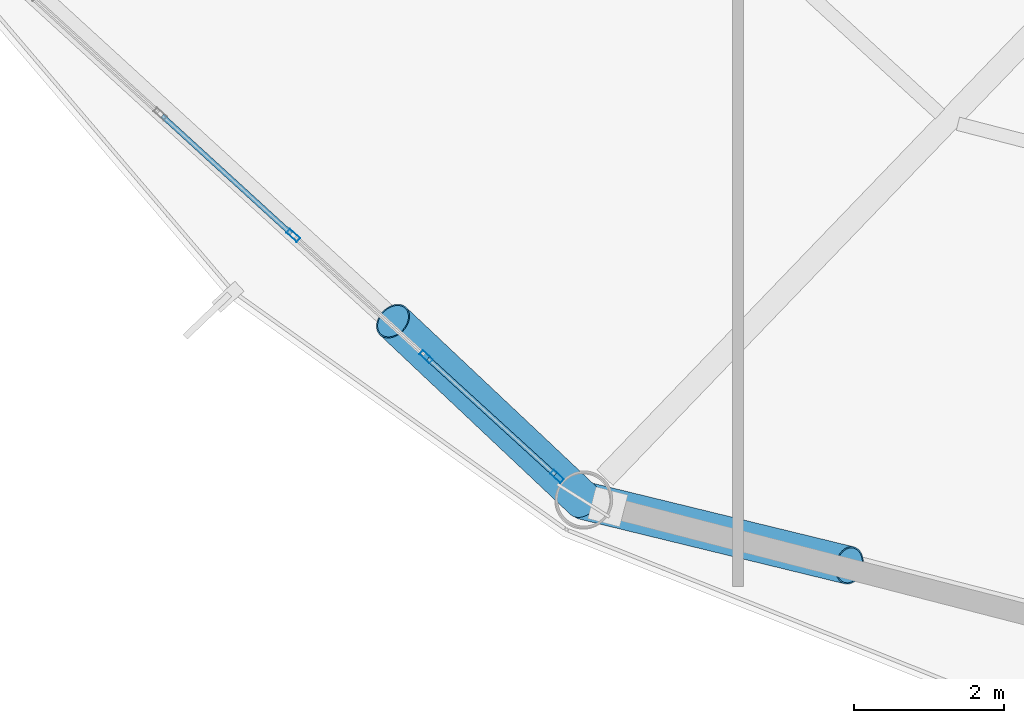
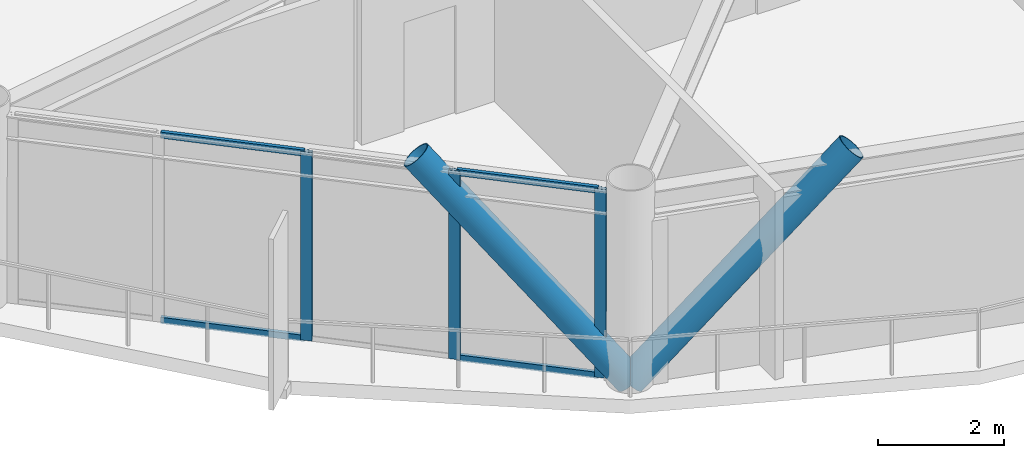
# One storey, part 2 of 25: 9 members, 1 element without a shape of its own.
"""IFC4 building model written with IfcOpenShell, lengths in metres."""

import ifcopenshell
import ifcopenshell.guid

model = None  # the IFC model being written
_history = None  # IfcOwnerHistory: only IFC2X3 demands one
_inside = {}  # id of a spatial element -> (the spatial element, [elements in it])
_under = {}  # id of a project, library or spatial element -> (it, [spatial elements below it])
_declared = {}  # id of a project -> (the project, [libraries it declares])
_typed = {}  # id of a type object -> (the type object, [elements of that type])
_made_of = {}  # id of a material, layer set ... -> (it, [elements and type objects made of it])


def new_model(schema):
    """Start an empty IFC model of exactly this schema.

    Asked for "IFC4X3", IfcOpenShell would pick the latest addendum, in which some entities
    have other attributes; the version numbers below select the first issue.
    IFC2X3 requires an IfcOwnerHistory on every rooted entity: one is made here for all.
    """
    global model, _history
    if schema == "IFC4X3":
        model = ifcopenshell.file(schema_version=(4, 3, 0, 0))
    else:
        model = ifcopenshell.file(schema=schema)
    _inside.clear()
    _under.clear()
    _declared.clear()
    _typed.clear()
    _made_of.clear()
    _history = None
    if model.schema == "IFC2X3":
        org = make("IfcOrganization", Name="unknown")
        user = make(
            "IfcPersonAndOrganization",
            ThePerson=make("IfcPerson", FamilyName="unknown"),
            TheOrganization=org,
        )
        app = make(
            "IfcApplication",
            ApplicationDeveloper=org,
            Version="unknown",
            ApplicationFullName="unknown",
            ApplicationIdentifier="unknown",
        )
        _history = make(
            "IfcOwnerHistory",
            OwningUser=user,
            OwningApplication=app,
            ChangeAction="ADDED",
            CreationDate=0,
        )
    return model


def make(cls, **values):
    """One entity of the class cls with the attributes given. An attribute that is None is left unset."""
    return model.create_entity(
        cls, **{name: value for name, value in values.items() if value is not None}
    )


def rooted(cls, **values):
    """An entity with a GlobalId (a new one), such as an element, a storey or a relation."""
    return make(cls, GlobalId=ifcopenshell.guid.new(), OwnerHistory=_history, **values)


def si_unit(unit_type, name, prefix=None):
    """IfcSIUnit, for example si_unit("LENGTHUNIT", "METRE", prefix="MILLI")."""
    return make("IfcSIUnit", UnitType=unit_type, Prefix=prefix, Name=name)


def assignment(units):
    """IfcUnitAssignment: the units of a project."""
    return None if units is None else make("IfcUnitAssignment", Units=units)


def point(xyz):
    """IfcCartesianPoint."""
    return None if xyz is None else make("IfcCartesianPoint", Coordinates=xyz)


def direction(xyz):
    """IfcDirection."""
    return None if xyz is None else make("IfcDirection", DirectionRatios=xyz)


def frame(location, z_axis=None, x_axis=None):
    """IfcAxis2Placement3D, a coordinate frame: its origin and axes. An axis left out is left unset."""
    return make(
        "IfcAxis2Placement3D",
        Location=point(location),
        Axis=direction(z_axis),
        RefDirection=direction(x_axis),
    )


def frame_2d(location, x_axis=None):
    """IfcAxis2Placement2D, a coordinate frame in the plane: its origin and x axis."""
    return make(
        "IfcAxis2Placement2D", Location=point(location), RefDirection=direction(x_axis)
    )


def origin():
    """The frame at (0, 0, 0) with its axes left unset."""
    return frame((0.0, 0.0, 0.0))


def origin_2d():
    """The frame at (0, 0) in the plane with its x axis left unset."""
    return frame_2d((0.0, 0.0))


def place(relative_to, where):
    """IfcLocalPlacement: puts the frame where relative to a parent placement (None: the world)."""
    return make(
        "IfcLocalPlacement", PlacementRelTo=relative_to, RelativePlacement=where
    )


def context(
    kind, dimensions, precision=None, world=None, true_north=None, identifier=None
):
    """IfcGeometricRepresentationContext, for example the 3D "Model" context."""
    return make(
        "IfcGeometricRepresentationContext",
        ContextIdentifier=identifier,
        ContextType=kind,
        CoordinateSpaceDimension=dimensions,
        Precision=precision,
        WorldCoordinateSystem=world,
        TrueNorth=true_north,
    )


def subcontext(parent, identifier, kind, view, scale=None):
    """IfcGeometricRepresentationSubContext, for example "Body" below "Model"."""
    return make(
        "IfcGeometricRepresentationSubContext",
        ContextIdentifier=identifier,
        ContextType=kind,
        ParentContext=parent,
        TargetScale=scale,
        TargetView=view,
    )


def project(units=None, contexts=None):
    """IfcProject with its units and contexts."""
    return rooted(
        "IfcProject",
        Name="project",
        RepresentationContexts=contexts,
        UnitsInContext=assignment(units),
    )


def spatial(cls, under=None, at=None, **own):
    """A site, building, storey or space (cls), placed at a placement, below another one or the project."""
    s = rooted(cls, ObjectPlacement=at, **own)
    if under is not None:
        _under.setdefault(under.id(), (under, []))[1].append(s)
    return s


def profile(cls, at=None, kind="AREA", **sizes):
    """A parametric profile (cls). Its sizes go by their IFC names, for example OverallWidth=200.0."""
    return make(cls, ProfileType=kind, Position=at, **sizes)


def hollow_rectangle(**sizes):
    """IfcRectangleHollowProfileDef."""
    return profile("IfcRectangleHollowProfileDef", **sizes)


def hollow_circle(**sizes):
    """IfcCircleHollowProfileDef."""
    return profile("IfcCircleHollowProfileDef", **sizes)


def extrude(swept, where, along, depth):
    """IfcExtrudedAreaSolid: the profile swept, set in the frame where, extruded along a direction by depth."""
    return make(
        "IfcExtrudedAreaSolid",
        SweptArea=swept,
        Position=where,
        ExtrudedDirection=direction(along),
        Depth=depth,
    )


def shape(context_of_items, identifier, shape_type, items):
    """IfcShapeRepresentation: the items that make up one representation, for example the "Body"."""
    return make(
        "IfcShapeRepresentation",
        ContextOfItems=context_of_items,
        RepresentationIdentifier=identifier,
        RepresentationType=shape_type,
        Items=items,
    )


def material(Name=None, Category=None):
    """IfcMaterial."""
    return make("IfcMaterial", Name=Name, Category=Category)


def layer(
    of_material, thickness, ventilated=None, Name=None, Category=None, Priority=None
):
    """IfcMaterialLayer: one layer of a wall or slab, of a material (None: an air gap)."""
    return make(
        "IfcMaterialLayer",
        Material=of_material,
        LayerThickness=thickness,
        IsVentilated=ventilated,
        Name=Name,
        Category=Category,
        Priority=Priority,
    )


def layer_set(layers, Name=None):
    """IfcMaterialLayerSet."""
    return make("IfcMaterialLayerSet", MaterialLayers=layers, LayerSetName=Name)


def material_profile(
    of_material, cross_section, Name=None, Category=None, Priority=None
):
    """IfcMaterialProfile: a cross section and its material."""
    return make(
        "IfcMaterialProfile",
        Name=Name,
        Material=of_material,
        Profile=cross_section,
        Priority=Priority,
        Category=Category,
    )


def profile_set(profiles, Name=None, composite=None):
    """IfcMaterialProfileSet."""
    return make(
        "IfcMaterialProfileSet",
        Name=Name,
        MaterialProfiles=profiles,
        CompositeProfile=composite,
    )


def made_of(thing, what):
    """Note that an element or type object is made of a material, layer set ...; save() writes the relation."""
    if what is not None:
        _made_of.setdefault(what.id(), (what, []))[1].append(thing)
    return thing


def type_object(cls, material=None, **own):
    """A type object (cls), such as IfcWallType, which elements share."""
    return made_of(rooted(cls, **own), material)


def element(
    cls,
    number,
    at=None,
    inside=None,
    cuts=None,
    type_object=None,
    material=None,
    context=None,
    identifier="Body",
    shape_type=None,
    held_by="IfcProductDefinitionShape",
    body=None,
    shapes=None,
    **own,
):
    """One element of the class cls, such as IfcWall. Its Tag is "e" and its number.

    at: its placement. inside: the storey or other place that contains it. cuts: it is an
    opening in that element (IfcRelVoidsElement). A single representation is given by context,
    identifier, shape_type and body (its items); several are given by shapes. held_by: the class
    of the entity that holds the representations. save() writes the other relations.
    """
    e = rooted(cls, Tag="e%d" % number, ObjectPlacement=at, **own)
    if body is not None:
        shapes = [shape(context, identifier, shape_type, body)]
    if shapes is not None:
        e.Representation = make(held_by, Representations=shapes)
    if inside is not None:
        _inside.setdefault(inside.id(), (inside, []))[1].append(e)
    if cuts is not None:
        rooted(
            "IfcRelVoidsElement", RelatingBuildingElement=cuts, RelatedOpeningElement=e
        )
    if type_object is not None:
        _typed.setdefault(type_object.id(), (type_object, []))[1].append(e)
    return made_of(e, material)


def aggregate(whole, parts):
    """IfcRelAggregates: a whole, such as a stair, and the parts it consists of."""
    return rooted("IfcRelAggregates", RelatingObject=whole, RelatedObjects=parts)


def save(model, path):
    """Write the relations noted so far, then the file.

    IfcRelAggregates (storeys below a building ...), IfcRelContainedInSpatialStructure (elements
    in a storey), IfcRelDefinesByType, IfcRelAssociatesMaterial and IfcRelDeclares: one each for
    every whole, place, type object, material and project.
    """
    for whole, parts in _under.values():
        aggregate(whole, parts)
    for where, things in _inside.values():
        rooted(
            "IfcRelContainedInSpatialStructure",
            RelatedElements=things,
            RelatingStructure=where,
        )
    for kind, things in _typed.values():
        rooted("IfcRelDefinesByType", RelatedObjects=things, RelatingType=kind)
    for what, things in _made_of.values():
        rooted("IfcRelAssociatesMaterial", RelatedObjects=things, RelatingMaterial=what)
    for by, libraries in _declared.values():
        rooted("IfcRelDeclares", RelatingContext=by, RelatedDefinitions=libraries)
    model.write(path)


model = new_model("IFC4")

# Units and contexts
model_context = context("Model", 3, precision=1e-05, world=origin(), true_north=direction((0.0, 1.0)))
body_context = subcontext(model_context, "Body", "Model", "MODEL_VIEW")
ifc_project = project(units=[si_unit("LENGTHUNIT", "METRE"), si_unit("AREAUNIT", "SQUARE_METRE"), si_unit("VOLUMEUNIT", "CUBIC_METRE"), si_unit("PLANEANGLEUNIT", "RADIAN"), si_unit("MASSUNIT", "GRAM", prefix="KILO")], contexts=[model_context])

# Site, building, storey
site_placement = place(None, origin())
site = spatial("IfcSite", under=ifc_project, at=site_placement, CompositionType="ELEMENT")
building_placement = place(site_placement, origin())
building = spatial("IfcBuilding", under=site, at=building_placement, Name="Varnakorn Sky Granary", CompositionType="ELEMENT")
storey_placement = place(building_placement, frame((0.0, 0.0, 122.699951171875)))
storey = spatial("IfcBuildingStorey", under=building, at=storey_placement, Name="L30", CompositionType="ELEMENT", Elevation=122.699951171875)

# Curtain wall, members
ifc_material_1 = material(Name="Anodised Bronze Aluminium Alloy 6063-T6", Category="aluminium")
ifc_layer = layer(ifc_material_1, 0.179931640625, Name="Anodised Bronze Aluminium Alloy 6063-T6")
ifc_layer_set = layer_set([ifc_layer], Name="Anodised Bronze Aluminium Alloy 6063-T6")
curtain_wall_type = type_object("IfcCurtainWallType", Name="CW-FRM-2", PredefinedType="USERDEFINED", material=ifc_layer_set)
curtain_wall_placement = place(storey_placement, origin())
curtain_wall = element("IfcCurtainWall", 1, at=curtain_wall_placement, inside=storey, type_object=curtain_wall_type, Name="Unitised Curtain Wall CW4 CW-L30-B08", ObjectType="CURTAIN WALL", PredefinedType="USERDEFINED")
ifc_material_profile_1 = material_profile(ifc_material_1, hollow_rectangle(XDim=0.070068359375, YDim=0.18505859375, WallThickness=0.00390625, at=origin_2d()), Name="ALU MULL 70x185")
ifc_profile_set_1 = profile_set([ifc_material_profile_1], Name="Anodised Bronze Aluminium Alloy 6063-T6")
member_type_1 = type_object("IfcMemberType", Name="CW-FRM-2-MULL", PredefinedType="MULLION", material=ifc_profile_set_1)
member_1_placement = place(storey_placement, frame((-12.408935546875, -16.381103515625, 0.0), z_axis=(0.0, 0.0, 1.0), x_axis=(-0.674407385715, -0.738359450466, 0.0)))
member_1 = element("IfcMember", 2, at=member_1_placement, type_object=member_type_1, Name="CW4 mullion 1", PredefinedType="MULLION", context=body_context, shape_type="SweptSolid", body=[
    extrude(hollow_rectangle(XDim=0.070068359375, YDim=0.18505859375, WallThickness=0.00390625, at=origin_2d()), origin(), (0.0, 0.0, 1.0), 3.64013671875),
])
member_2_placement = place(storey_placement, frame((-14.15234375, -14.788818359375, 0.0), z_axis=(0.0, 0.0, 1.0), x_axis=(-0.674407385715, -0.738359450466, 0.0)))
member_2 = element("IfcMember", 3, at=member_2_placement, type_object=member_type_1, Name="CW4 mullion 2", PredefinedType="MULLION", context=body_context, shape_type="SweptSolid", body=[
    extrude(hollow_rectangle(XDim=0.070068359375, YDim=0.18505859375, WallThickness=0.00390625, at=origin_2d()), origin(), (0.0, 0.0, 1.0), 3.64013671875),
])
member_3_placement = place(storey_placement, frame((-15.921875, -13.172607421875, 0.0), z_axis=(0.0, 0.0, 1.0), x_axis=(-0.674407385715, -0.738359450466, 0.0)))
member_3 = element("IfcMember", 4, at=member_3_placement, type_object=member_type_1, Name="CW4 mullion 3", PredefinedType="MULLION", context=body_context, shape_type="SweptSolid", body=[
    extrude(hollow_rectangle(XDim=0.070068359375, YDim=0.18505859375, WallThickness=0.00390625, at=origin_2d()), origin(), (0.0, 0.0, 1.0), 3.64013671875),
])
ifc_material_profile_2 = material_profile(ifc_material_1, hollow_rectangle(XDim=0.06494140625, YDim=0.1201171875, WallThickness=0.00341796875, at=origin_2d()), Name="ALU TRAN 65x120")
ifc_profile_set_2 = profile_set([ifc_material_profile_2], Name="Anodised Bronze Aluminium Alloy 6063-T6")
member_type_2 = type_object("IfcMemberType", Name="CW-FRM-2-TRAN", PredefinedType="USERDEFINED", material=ifc_profile_set_2)
member_4_placement = place(storey_placement, frame((-12.434814453125, -16.357666015625, 0.032470703125), z_axis=(-0.738347081543, 0.674420927297, 0.0), x_axis=(-0.674420927297, -0.738347081543, 0.0)))
member_4 = element("IfcMember", 5, at=member_4_placement, type_object=member_type_2, Name="CW4 transom 1.1", ObjectType="TRANSOM", PredefinedType="USERDEFINED", context=body_context, shape_type="SweptSolid", body=[
    extrude(hollow_rectangle(XDim=0.06494140625, YDim=0.1201171875, WallThickness=0.00341796875, at=origin_2d()), origin(), (0.0, 0.0, 1.0), 2.29150390625),
])
member_5_placement = place(storey_placement, frame((-12.434814453125, -16.357666015625, 3.607666015625), z_axis=(-0.738347081543, 0.674420927297, 0.0), x_axis=(-0.674420927297, -0.738347081543, 0.0)))
member_5 = element("IfcMember", 6, at=member_5_placement, type_object=member_type_2, Name="CW4 transom 1.2", ObjectType="TRANSOM", PredefinedType="USERDEFINED", context=body_context, shape_type="SweptSolid", body=[
    extrude(hollow_rectangle(XDim=0.06494140625, YDim=0.1201171875, WallThickness=0.00341796875, at=origin_2d()), origin(), (0.0, 0.0, 1.0), 2.29150390625),
])
member_6_placement = place(storey_placement, frame((-15.94775390625, -13.14892578125, 0.032470703125), z_axis=(-0.738342330442, 0.674426128703, 0.0), x_axis=(-0.674426128703, -0.738342330442, 0.0)))
member_6 = element("IfcMember", 7, at=member_6_placement, type_object=member_type_2, Name="CW4 transom 3.1", ObjectType="TRANSOM", PredefinedType="USERDEFINED", context=body_context, shape_type="SweptSolid", body=[
    extrude(hollow_rectangle(XDim=0.06494140625, YDim=0.1201171875, WallThickness=0.00341796875, at=origin_2d()), origin(), (0.0, 0.0, 1.0), 2.326171875),
])
member_7_placement = place(storey_placement, frame((-15.94775390625, -13.14892578125, 3.607666015625), z_axis=(-0.738342330442, 0.674426128703, 0.0), x_axis=(-0.674426128703, -0.738342330442, 0.0)))
member_7 = element("IfcMember", 8, at=member_7_placement, type_object=member_type_2, Name="CW4 transom 3.2", ObjectType="TRANSOM", PredefinedType="USERDEFINED", context=body_context, shape_type="SweptSolid", body=[
    extrude(hollow_rectangle(XDim=0.06494140625, YDim=0.1201171875, WallThickness=0.00341796875, at=origin_2d()), origin(), (0.0, 0.0, 1.0), 2.326171875),
])
aggregate(curtain_wall, [member_1, member_2, member_3, member_4, member_5, member_6, member_7])

# Members
ifc_material_2 = material(Name="Steel S460M", Category="steel")
ifc_material_profile_3 = material_profile(ifc_material_2, hollow_circle(Radius=0.25390625, WallThickness=0.01806640625, at=origin_2d()), Name="CHS 508x18")
ifc_profile_set_3 = profile_set([ifc_material_profile_3], Name="Steel S460M")
member_type_3 = type_object("IfcMemberType", Name="MB-DIAG-T2", PredefinedType="BRACE", material=ifc_profile_set_3)
member_8_placement = place(storey_placement, frame((-12.0576171875, -16.7021484375, 0.0), z_axis=(-0.492423343073, 0.463962307928, 0.736381849327), x_axis=(-0.685760438188, -0.727827329397, 0.0)))
element("IfcMember", 9, at=member_8_placement, inside=storey, type_object=member_type_3, Name="Perimeter CHS Diagrid Brace DG08 L30", PredefinedType="BRACE", context=body_context, shape_type="SweptSolid", body=[
    extrude(hollow_circle(Radius=0.25390625, WallThickness=0.01806640625, at=origin_2d()), origin(), (0.0, 0.0, 1.0), 5.146728515625),
])
member_9_placement = place(storey_placement, frame((-12.0576171875, -16.7021484375, 0.0), z_axis=(0.673475686356, -0.164213670388, 0.720738767061), x_axis=(0.236889881728, 0.971536506743, 0.0)))
element("IfcMember", 10, at=member_9_placement, inside=storey, type_object=member_type_3, Name="Perimeter CHS Diagrid Brace DG09 L30", PredefinedType="BRACE", context=body_context, shape_type="SweptSolid", body=[
    extrude(hollow_circle(Radius=0.25390625, WallThickness=0.01806640625, at=origin_2d()), origin(), (0.0, 0.0, 1.0), 5.258544921875),
])

save(model, "model.ifc")
